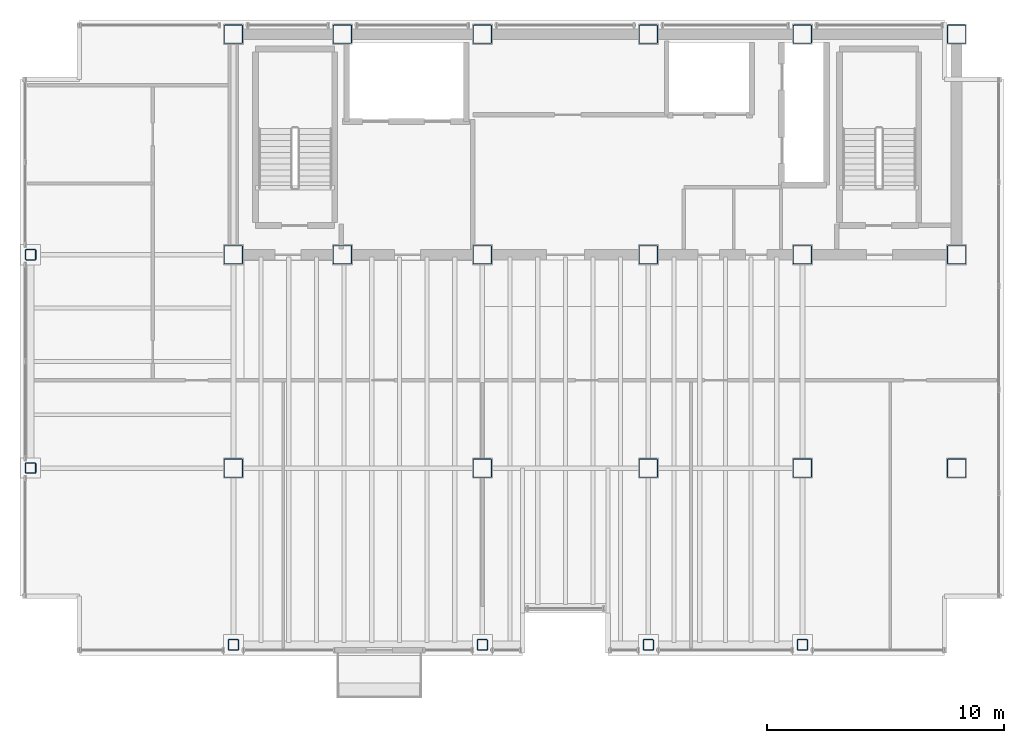
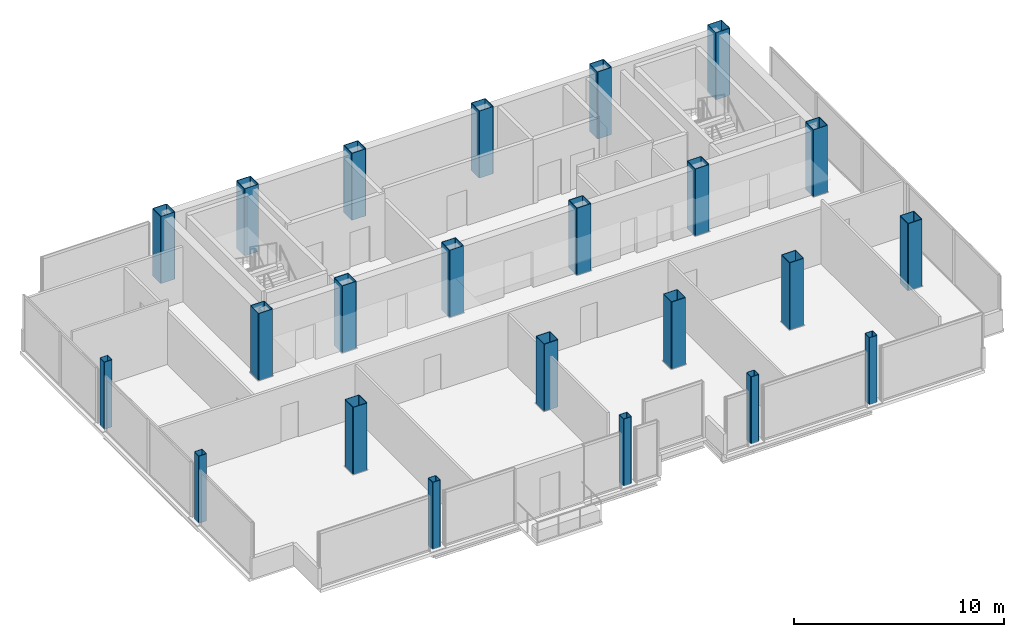
# One storey, part 1 of 16: 23 columns.
"""IFC4 building model written with IfcOpenShell, lengths in metres."""

from ifc_helpers import new_model, si_unit, direction, frame, origin, origin_2d, place, context, subcontext, project, spatial, hollow_rectangle, extrude, material, material_profile, profile_set, type_object, element, save


model = new_model("IFC4")

# Units and contexts
model_context = context("Model", 3, precision=1e-05, world=origin(), true_north=direction((0.0, 1.0)))
body_context = subcontext(model_context, "Body", "Model", "MODEL_VIEW")
ifc_project = project(units=[si_unit("LENGTHUNIT", "METRE"), si_unit("AREAUNIT", "SQUARE_METRE"), si_unit("VOLUMEUNIT", "CUBIC_METRE"), si_unit("PLANEANGLEUNIT", "RADIAN"), si_unit("MASSUNIT", "GRAM", prefix="KILO")], contexts=[model_context])

# Site, building, storey
site_placement = place(None, origin())
site = spatial("IfcSite", under=ifc_project, at=site_placement, CompositionType="ELEMENT")
building_placement = place(site_placement, origin())
building = spatial("IfcBuilding", under=site, at=building_placement, Name="Noeulbin Bourse Tower", CompositionType="ELEMENT")
storey_placement = place(building_placement, frame((0.0, 0.0, 238.39990234375)))
storey = spatial("IfcBuildingStorey", under=building, at=storey_placement, Name="L59", CompositionType="ELEMENT", Elevation=238.39990234375)

# Columns
ifc_material = material(Name="Steel S355", Category="steel")
ifc_material_profile_1 = material_profile(ifc_material, hollow_rectangle(XDim=0.449951171875, YDim=0.449951171875, WallThickness=0.02197265625, InnerFilletRadius=0.02197265625, OuterFilletRadius=0.0439453125, at=origin_2d()), Name="SHS-450x450x22", Category="LoadBearing")
ifc_profile_set_1 = profile_set([ifc_material_profile_1], Name="Steel S355")
column_type_1 = type_object("IfcColumnType", Name="COL-PER-Z3", PredefinedType="COLUMN", material=ifc_profile_set_1)
for number, where, z_axis, x_axis, name in (
    (1, (4.949951171875, 20.0, 0.0), (0.0, 0.0, 1.0), (1.0, 0.0, 0.0), "Tower Perimeter Column COL-PER-Z3 01"),
    (2, (4.949951171875, 29.0, 0.0), (0.0, 0.0, 1.0), (1.0, 0.0, 0.0), "Tower Perimeter Column COL-PER-Z3 02"),
    (3, (13.5, 12.550048828125, 0.0), (0.0, 0.0, 1.0), (1.0, 0.0, 0.0), "Tower Perimeter Column COL-PER-Z3 03"),
    (4, (24.0, 12.550048828125, 0.0), (0.0, 0.0, 1.0), (1.0, 0.0, 0.0), "Tower Perimeter Column COL-PER-Z3 04"),
    (5, (31.0, 12.550048828125, 0.0), (0.0, 0.0, 1.0), (1.0, 0.0, 0.0), "Tower Perimeter Column COL-PER-Z3 05"),
    (6, (37.5, 12.550048828125, 0.0), (0.0, 0.0, 1.0), (1.0, 0.0, 0.0), "Tower Perimeter Column COL-PER-Z3 06"),
):
    element("IfcColumn", number, at=place(storey_placement, frame(where, z_axis=z_axis, x_axis=x_axis)), inside=storey, type_object=column_type_1, Name=name, PredefinedType="COLUMN", context=body_context, shape_type="SweptSolid", body=[
        extrude(hollow_rectangle(XDim=0.449951171875, YDim=0.449951171875, WallThickness=0.02197265625, InnerFilletRadius=0.02197265625, OuterFilletRadius=0.0439453125, at=origin_2d()), origin(), (0.0, 0.0, 1.0), 3.900146484375),
    ])
ifc_material_profile_2 = material_profile(ifc_material, hollow_rectangle(XDim=0.800048828125, YDim=0.800048828125, WallThickness=0.031982421875, InnerFilletRadius=0.01611328125, OuterFilletRadius=0.048095703125, at=origin_2d()), Name="BOX-800x800x32", Category="LoadBearing")
ifc_profile_set_2 = profile_set([ifc_material_profile_2], Name="Steel S355")
column_type_2 = type_object("IfcColumnType", Name="COL-TRK-Z3", PredefinedType="COLUMN", material=ifc_profile_set_2)
for number, where, z_axis, x_axis, name in (
    (7, (13.5, 29.0, 0.0), (0.0, 0.0, 1.0), (1.0, 0.0, 0.0), "Tower Trunk Mega-Column COL-TRK-Z3 01"),
    (8, (13.5, 38.300048828125, 0.0), (0.0, 0.0, 1.0), (1.0, 0.0, 0.0), "Tower Trunk Mega-Column COL-TRK-Z3 02"),
    (9, (18.10009765625, 29.0, 0.0), (0.0, 0.0, 1.0), (1.0, 0.0, 0.0), "Tower Trunk Mega-Column COL-TRK-Z3 03"),
    (10, (18.10009765625, 38.300048828125, 0.0), (0.0, 0.0, 1.0), (1.0, 0.0, 0.0), "Tower Trunk Mega-Column COL-TRK-Z3 04"),
    (11, (24.0, 29.0, 0.0), (0.0, 0.0, 1.0), (1.0, 0.0, 0.0), "Tower Trunk Mega-Column COL-TRK-Z3 05"),
    (12, (24.0, 38.300048828125, 0.0), (0.0, 0.0, 1.0), (1.0, 0.0, 0.0), "Tower Trunk Mega-Column COL-TRK-Z3 06"),
    (13, (31.0, 29.0, 0.0), (0.0, 0.0, 1.0), (1.0, 0.0, 0.0), "Tower Trunk Mega-Column COL-TRK-Z3 07"),
    (14, (31.0, 38.300048828125, 0.0), (0.0, 0.0, 1.0), (1.0, 0.0, 0.0), "Tower Trunk Mega-Column COL-TRK-Z3 08"),
    (15, (37.5, 29.0, 0.0), (0.0, 0.0, 1.0), (1.0, 0.0, 0.0), "Tower Trunk Mega-Column COL-TRK-Z3 09"),
    (16, (37.5, 38.300048828125, 0.0), (0.0, 0.0, 1.0), (1.0, 0.0, 0.0), "Tower Trunk Mega-Column COL-TRK-Z3 10"),
    (17, (44.0, 29.0, 0.0), (0.0, 0.0, 1.0), (1.0, 0.0, 0.0), "Tower Trunk Mega-Column COL-TRK-Z3 11"),
    (18, (44.0, 38.300048828125, 0.0), (0.0, 0.0, 1.0), (1.0, 0.0, 0.0), "Tower Trunk Mega-Column COL-TRK-Z3 12"),
    (19, (13.5, 20.0, 0.0), (0.0, 0.0, 1.0), (1.0, 0.0, 0.0), "Tower Trunk Mega-Column COL-TRK-Z3 13"),
    (20, (24.0, 20.0, 0.0), (0.0, 0.0, 1.0), (1.0, 0.0, 0.0), "Tower Trunk Mega-Column COL-TRK-Z3 14"),
    (21, (31.0, 20.0, 0.0), (0.0, 0.0, 1.0), (1.0, 0.0, 0.0), "Tower Trunk Mega-Column COL-TRK-Z3 15"),
    (22, (37.5, 20.0, 0.0), (0.0, 0.0, 1.0), (1.0, 0.0, 0.0), "Tower Trunk Mega-Column COL-TRK-Z3 16"),
    (23, (44.0, 20.0, 0.0), (0.0, 0.0, 1.0), (1.0, 0.0, 0.0), "Tower Trunk Mega-Column COL-TRK-Z3 17"),
):
    element("IfcColumn", number, at=place(storey_placement, frame(where, z_axis=z_axis, x_axis=x_axis)), inside=storey, type_object=column_type_2, Name=name, PredefinedType="COLUMN", context=body_context, shape_type="SweptSolid", body=[
        extrude(hollow_rectangle(XDim=0.800048828125, YDim=0.800048828125, WallThickness=0.031982421875, InnerFilletRadius=0.01611328125, OuterFilletRadius=0.048095703125, at=origin_2d()), origin(), (0.0, 0.0, 1.0), 3.900146484375),
    ])

save(model, "model.ifc")
